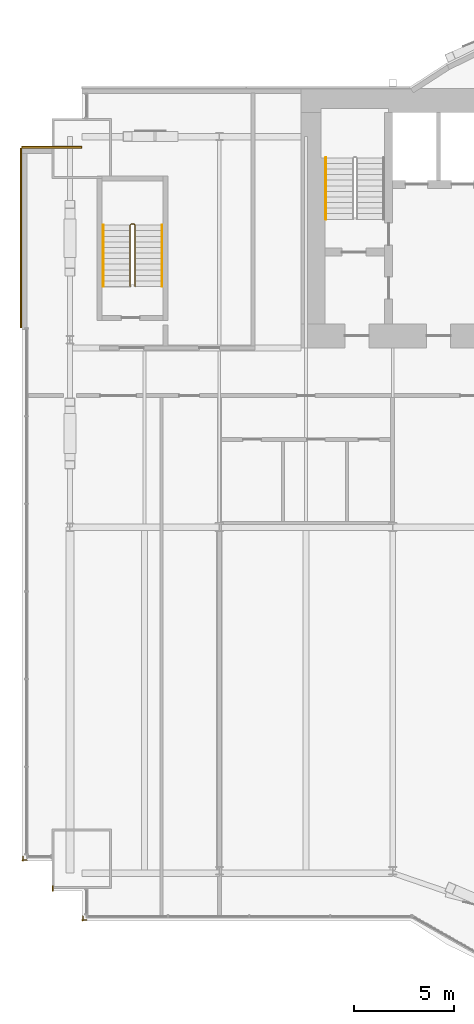
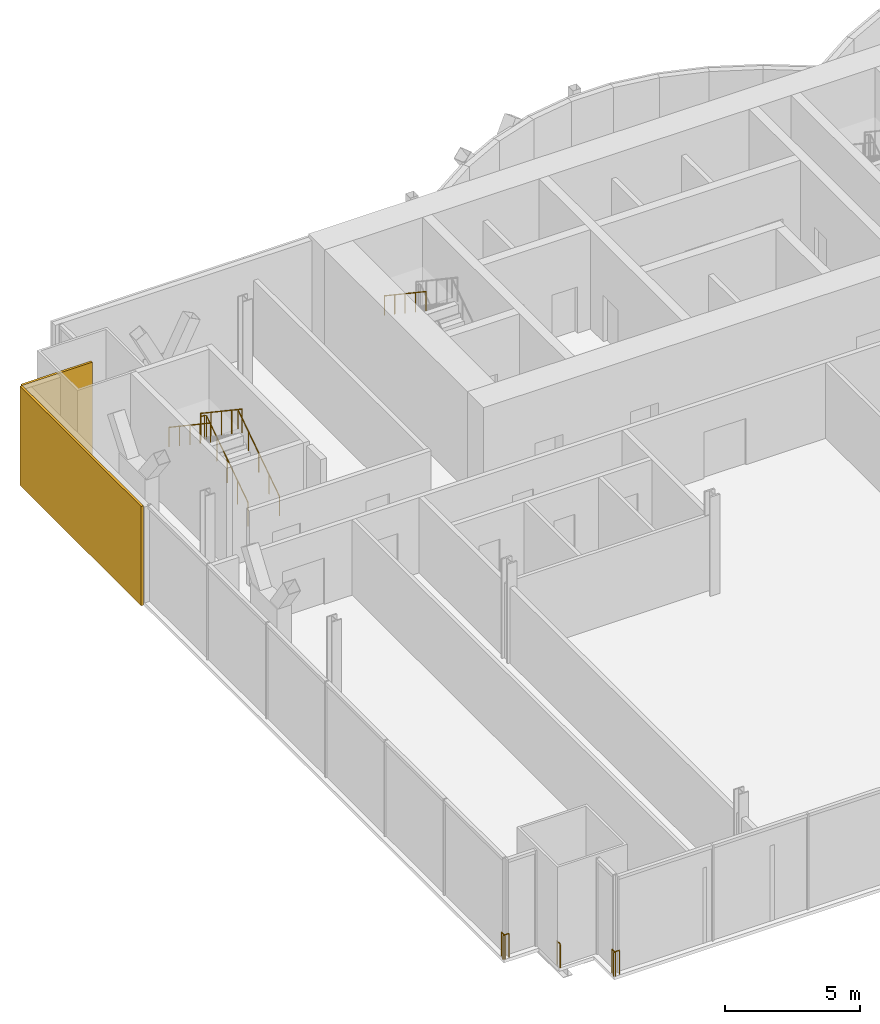
# One storey, part 19 of 22: 7 railings, 2 coverings.
"""IFC4 building model written with IfcOpenShell, lengths in metres."""

import ifcopenshell
import ifcopenshell.guid

model = None  # the IFC model being written
_history = None  # IfcOwnerHistory: only IFC2X3 demands one
_inside = {}  # id of a spatial element -> (the spatial element, [elements in it])
_under = {}  # id of a project, library or spatial element -> (it, [spatial elements below it])
_declared = {}  # id of a project -> (the project, [libraries it declares])
_typed = {}  # id of a type object -> (the type object, [elements of that type])
_made_of = {}  # id of a material, layer set ... -> (it, [elements and type objects made of it])


def new_model(schema):
    """Start an empty IFC model of exactly this schema.

    Asked for "IFC4X3", IfcOpenShell would pick the latest addendum, in which some entities
    have other attributes; the version numbers below select the first issue.
    IFC2X3 requires an IfcOwnerHistory on every rooted entity: one is made here for all.
    """
    global model, _history
    if schema == "IFC4X3":
        model = ifcopenshell.file(schema_version=(4, 3, 0, 0))
    else:
        model = ifcopenshell.file(schema=schema)
    _inside.clear()
    _under.clear()
    _declared.clear()
    _typed.clear()
    _made_of.clear()
    _history = None
    if model.schema == "IFC2X3":
        org = make("IfcOrganization", Name="unknown")
        user = make(
            "IfcPersonAndOrganization",
            ThePerson=make("IfcPerson", FamilyName="unknown"),
            TheOrganization=org,
        )
        app = make(
            "IfcApplication",
            ApplicationDeveloper=org,
            Version="unknown",
            ApplicationFullName="unknown",
            ApplicationIdentifier="unknown",
        )
        _history = make(
            "IfcOwnerHistory",
            OwningUser=user,
            OwningApplication=app,
            ChangeAction="ADDED",
            CreationDate=0,
        )
    return model


def make(cls, **values):
    """One entity of the class cls with the attributes given. An attribute that is None is left unset."""
    return model.create_entity(
        cls, **{name: value for name, value in values.items() if value is not None}
    )


def rooted(cls, **values):
    """An entity with a GlobalId (a new one), such as an element, a storey or a relation."""
    return make(cls, GlobalId=ifcopenshell.guid.new(), OwnerHistory=_history, **values)


def si_unit(unit_type, name, prefix=None):
    """IfcSIUnit, for example si_unit("LENGTHUNIT", "METRE", prefix="MILLI")."""
    return make("IfcSIUnit", UnitType=unit_type, Prefix=prefix, Name=name)


def assignment(units):
    """IfcUnitAssignment: the units of a project."""
    return None if units is None else make("IfcUnitAssignment", Units=units)


def point(xyz):
    """IfcCartesianPoint."""
    return None if xyz is None else make("IfcCartesianPoint", Coordinates=xyz)


def direction(xyz):
    """IfcDirection."""
    return None if xyz is None else make("IfcDirection", DirectionRatios=xyz)


def frame(location, z_axis=None, x_axis=None):
    """IfcAxis2Placement3D, a coordinate frame: its origin and axes. An axis left out is left unset."""
    return make(
        "IfcAxis2Placement3D",
        Location=point(location),
        Axis=direction(z_axis),
        RefDirection=direction(x_axis),
    )


def frame_2d(location, x_axis=None):
    """IfcAxis2Placement2D, a coordinate frame in the plane: its origin and x axis."""
    return make(
        "IfcAxis2Placement2D", Location=point(location), RefDirection=direction(x_axis)
    )


def origin():
    """The frame at (0, 0, 0) with its axes left unset."""
    return frame((0.0, 0.0, 0.0))


def origin_2d():
    """The frame at (0, 0) in the plane with its x axis left unset."""
    return frame_2d((0.0, 0.0))


def place(relative_to, where):
    """IfcLocalPlacement: puts the frame where relative to a parent placement (None: the world)."""
    return make(
        "IfcLocalPlacement", PlacementRelTo=relative_to, RelativePlacement=where
    )


def context(
    kind, dimensions, precision=None, world=None, true_north=None, identifier=None
):
    """IfcGeometricRepresentationContext, for example the 3D "Model" context."""
    return make(
        "IfcGeometricRepresentationContext",
        ContextIdentifier=identifier,
        ContextType=kind,
        CoordinateSpaceDimension=dimensions,
        Precision=precision,
        WorldCoordinateSystem=world,
        TrueNorth=true_north,
    )


def subcontext(parent, identifier, kind, view, scale=None):
    """IfcGeometricRepresentationSubContext, for example "Body" below "Model"."""
    return make(
        "IfcGeometricRepresentationSubContext",
        ContextIdentifier=identifier,
        ContextType=kind,
        ParentContext=parent,
        TargetScale=scale,
        TargetView=view,
    )


def project(units=None, contexts=None):
    """IfcProject with its units and contexts."""
    return rooted(
        "IfcProject",
        Name="project",
        RepresentationContexts=contexts,
        UnitsInContext=assignment(units),
    )


def spatial(cls, under=None, at=None, **own):
    """A site, building, storey or space (cls), placed at a placement, below another one or the project."""
    s = rooted(cls, ObjectPlacement=at, **own)
    if under is not None:
        _under.setdefault(under.id(), (under, []))[1].append(s)
    return s


def profile(cls, at=None, kind="AREA", **sizes):
    """A parametric profile (cls). Its sizes go by their IFC names, for example OverallWidth=200.0."""
    return make(cls, ProfileType=kind, Position=at, **sizes)


def rectangle(**sizes):
    """IfcRectangleProfileDef."""
    return profile("IfcRectangleProfileDef", **sizes)


def circle(**sizes):
    """IfcCircleProfileDef."""
    return profile("IfcCircleProfileDef", **sizes)


def extrude(swept, where, along, depth):
    """IfcExtrudedAreaSolid: the profile swept, set in the frame where, extruded along a direction by depth."""
    return make(
        "IfcExtrudedAreaSolid",
        SweptArea=swept,
        Position=where,
        ExtrudedDirection=direction(along),
        Depth=depth,
    )


def shape(context_of_items, identifier, shape_type, items):
    """IfcShapeRepresentation: the items that make up one representation, for example the "Body"."""
    return make(
        "IfcShapeRepresentation",
        ContextOfItems=context_of_items,
        RepresentationIdentifier=identifier,
        RepresentationType=shape_type,
        Items=items,
    )


def material(Name=None, Category=None):
    """IfcMaterial."""
    return make("IfcMaterial", Name=Name, Category=Category)


def layer(
    of_material, thickness, ventilated=None, Name=None, Category=None, Priority=None
):
    """IfcMaterialLayer: one layer of a wall or slab, of a material (None: an air gap)."""
    return make(
        "IfcMaterialLayer",
        Material=of_material,
        LayerThickness=thickness,
        IsVentilated=ventilated,
        Name=Name,
        Category=Category,
        Priority=Priority,
    )


def layer_set(layers, Name=None):
    """IfcMaterialLayerSet."""
    return make("IfcMaterialLayerSet", MaterialLayers=layers, LayerSetName=Name)


def made_of(thing, what):
    """Note that an element or type object is made of a material, layer set ...; save() writes the relation."""
    if what is not None:
        _made_of.setdefault(what.id(), (what, []))[1].append(thing)
    return thing


def type_object(cls, material=None, **own):
    """A type object (cls), such as IfcWallType, which elements share."""
    return made_of(rooted(cls, **own), material)


def element(
    cls,
    number,
    at=None,
    inside=None,
    cuts=None,
    type_object=None,
    material=None,
    context=None,
    identifier="Body",
    shape_type=None,
    held_by="IfcProductDefinitionShape",
    body=None,
    shapes=None,
    **own,
):
    """One element of the class cls, such as IfcWall. Its Tag is "e" and its number.

    at: its placement. inside: the storey or other place that contains it. cuts: it is an
    opening in that element (IfcRelVoidsElement). A single representation is given by context,
    identifier, shape_type and body (its items); several are given by shapes. held_by: the class
    of the entity that holds the representations. save() writes the other relations.
    """
    e = rooted(cls, Tag="e%d" % number, ObjectPlacement=at, **own)
    if body is not None:
        shapes = [shape(context, identifier, shape_type, body)]
    if shapes is not None:
        e.Representation = make(held_by, Representations=shapes)
    if inside is not None:
        _inside.setdefault(inside.id(), (inside, []))[1].append(e)
    if cuts is not None:
        rooted(
            "IfcRelVoidsElement", RelatingBuildingElement=cuts, RelatedOpeningElement=e
        )
    if type_object is not None:
        _typed.setdefault(type_object.id(), (type_object, []))[1].append(e)
    return made_of(e, material)


def aggregate(whole, parts):
    """IfcRelAggregates: a whole, such as a stair, and the parts it consists of."""
    return rooted("IfcRelAggregates", RelatingObject=whole, RelatedObjects=parts)


def save(model, path):
    """Write the relations noted so far, then the file.

    IfcRelAggregates (storeys below a building ...), IfcRelContainedInSpatialStructure (elements
    in a storey), IfcRelDefinesByType, IfcRelAssociatesMaterial and IfcRelDeclares: one each for
    every whole, place, type object, material and project.
    """
    for whole, parts in _under.values():
        aggregate(whole, parts)
    for where, things in _inside.values():
        rooted(
            "IfcRelContainedInSpatialStructure",
            RelatedElements=things,
            RelatingStructure=where,
        )
    for kind, things in _typed.values():
        rooted("IfcRelDefinesByType", RelatedObjects=things, RelatingType=kind)
    for what, things in _made_of.values():
        rooted("IfcRelAssociatesMaterial", RelatedObjects=things, RelatingMaterial=what)
    for by, libraries in _declared.values():
        rooted("IfcRelDeclares", RelatingContext=by, RelatedDefinitions=libraries)
    model.write(path)


model = new_model("IFC4")

# Units and contexts
model_context = context("Model", 3, precision=1e-05, world=origin(), true_north=direction((0.0, 1.0)))
body_context = subcontext(model_context, "Body", "Model", "MODEL_VIEW")
ifc_project = project(units=[si_unit("LENGTHUNIT", "METRE"), si_unit("AREAUNIT", "SQUARE_METRE"), si_unit("VOLUMEUNIT", "CUBIC_METRE"), si_unit("PLANEANGLEUNIT", "RADIAN"), si_unit("MASSUNIT", "GRAM", prefix="KILO")], contexts=[model_context])

# Site, building, storey
site_placement = place(None, origin())
site = spatial("IfcSite", under=ifc_project, at=site_placement, CompositionType="ELEMENT")
building_placement = place(site_placement, origin())
building = spatial("IfcBuilding", under=site, at=building_placement, Name="Bicima Exchange Tower", CompositionType="ELEMENT")
storey_placement = place(building_placement, frame((0.0, 0.0, 39.5)))
storey = spatial("IfcBuildingStorey", under=building, at=storey_placement, Name="L07", CompositionType="ELEMENT", Elevation=39.5)

# Coverings
ifc_material_1 = material(Name="Bronze metal cladding")
ifc_layer_1 = layer(ifc_material_1, 0.004)
ifc_material_2 = material(Name="Ventilated cavity")
ifc_layer_2 = layer(ifc_material_2, 0.06)
ifc_material_3 = material(Name="Galvanised steel rail and mineral wool", Category="steel")
ifc_layer_3 = layer(ifc_material_3, 0.036)
ifc_layer_set = layer_set([ifc_layer_1, ifc_layer_2, ifc_layer_3], Name="Ventilated cavity")
covering_type = type_object("IfcCoveringType", Name="Bronze metal cladding panel 100", PredefinedType="CLADDING", material=ifc_layer_set)
covering_1_placement = place(storey_placement, frame((-34.5, -2.949951171875, -0.14990234375), z_axis=(0.0, 0.0, 1.0), x_axis=(-1.0, 0.0, 0.0)))
element("IfcCovering", 1, at=covering_1_placement, inside=storey, type_object=covering_type, Name="Bronze cladding L07 22.1", PredefinedType="CLADDING", context=body_context, shape_type="SweptSolid", body=[
    extrude(rectangle(XDim=3.0, YDim=0.10009765625, at=origin_2d()), origin(), (0.0, 0.0, 1.0), 4.5),
])
covering_2_placement = place(storey_placement, frame((-36.050048828125, -7.5, -0.14990234375), z_axis=(0.0, 0.0, 1.0), x_axis=(0.0, -1.0, 0.0)))
element("IfcCovering", 2, at=covering_2_placement, inside=storey, type_object=covering_type, Name="Bronze cladding L07 23.1", PredefinedType="CLADDING", context=body_context, shape_type="SweptSolid", body=[
    extrude(rectangle(XDim=9.0, YDim=0.10009765625, at=origin_2d()), origin(), (0.0, 0.0, 1.0), 4.5),
])

# Railings
ifc_material_4 = material(Name="Stainless steel and bonded safety glass", Category="steel")
railing_type_1 = type_object("IfcRailingType", Name="Edge guard 1100", PredefinedType="GUARDRAIL", material=ifc_material_4)
railing_1_placement = place(storey_placement, frame((-35.75, -38.7060546875, 0.0)))
element("IfcRailing", 3, at=railing_1_placement, inside=storey, type_object=railing_type_1, Name="Edge guard L07 21", PredefinedType="GUARDRAIL", context=body_context, shape_type="SweptSolid", body=[
    extrude(circle(Radius=0.02392578125, at=origin_2d()), frame((0.0, 0.0, 1.076171875), z_axis=(-1.0, 0.0, 0.0), x_axis=(0.0, -1.0, 0.0)), (0.0, 0.0, 1.0), 0.25),
    extrude(circle(Radius=0.02392578125, at=origin_2d()), frame((-0.25, 0.0, 1.076171875), z_axis=(0.707106781187, -0.707106781187, 0.0), x_axis=(0.707106781187, 0.707106781187, 0.0)), (0.0, 0.0, 1.0), 0.07080078125),
    extrude(circle(Radius=0.02392578125, at=origin_2d()), frame((-0.199951171875, -0.050048828125, 1.076171875), z_axis=(0.0, 1.0, 0.0), x_axis=(-1.0, 0.0, 0.0)), (0.0, 0.0, 1.0), 0.248046875),
    extrude(circle(Radius=0.02099609375, at=origin_2d()), origin(), (0.0, 0.0, 1.0), 1.052001953125),
    extrude(circle(Radius=0.02099609375, at=origin_2d()), frame((-0.25, 0.0, 0.0)), (0.0, 0.0, 1.0), 1.052001953125),
    extrude(circle(Radius=0.02099609375, at=origin_2d()), frame((-0.199951171875, -0.050048828125, 0.0)), (0.0, 0.0, 1.0), 1.052001953125),
    extrude(circle(Radius=0.02099609375, at=origin_2d()), frame((-0.199951171875, 0.197998046875, 0.0)), (0.0, 0.0, 1.0), 1.052001953125),
])
railing_2_placement = place(storey_placement, frame((-32.75, -41.7060546875, 0.0)))
element("IfcRailing", 4, at=railing_2_placement, inside=storey, type_object=railing_type_1, Name="Edge guard L07 25", PredefinedType="GUARDRAIL", context=body_context, shape_type="SweptSolid", body=[
    extrude(circle(Radius=0.02392578125, at=origin_2d()), frame((0.0, 0.0, 1.076171875), z_axis=(-1.0, 0.0, 0.0), x_axis=(0.0, -1.0, 0.0)), (0.0, 0.0, 1.0), 0.25),
    extrude(circle(Radius=0.02392578125, at=origin_2d()), frame((-0.25, 0.0, 1.076171875), z_axis=(0.707106781187, -0.707106781187, 0.0), x_axis=(0.707106781187, 0.707106781187, 0.0)), (0.0, 0.0, 1.0), 0.07080078125),
    extrude(circle(Radius=0.02392578125, at=origin_2d()), frame((-0.199951171875, -0.050048828125, 1.076171875), z_axis=(0.0, 1.0, 0.0), x_axis=(-1.0, 0.0, 0.0)), (0.0, 0.0, 1.0), 0.25),
    extrude(circle(Radius=0.02099609375, at=origin_2d()), origin(), (0.0, 0.0, 1.0), 1.052001953125),
    extrude(circle(Radius=0.02099609375, at=origin_2d()), frame((-0.25, 0.0, 0.0)), (0.0, 0.0, 1.0), 1.052001953125),
    extrude(circle(Radius=0.02099609375, at=origin_2d()), frame((-0.199951171875, -0.050048828125, 0.0)), (0.0, 0.0, 1.0), 1.052001953125),
    extrude(circle(Radius=0.02099609375, at=origin_2d()), frame((-0.199951171875, 0.199951171875, 0.0)), (0.0, 0.0, 1.0), 1.052001953125),
])
railing_3_placement = place(storey_placement, frame((-34.449951171875, -40.256103515625, 0.0)))
element("IfcRailing", 5, at=railing_3_placement, inside=storey, type_object=railing_type_1, Name="Edge guard L07 26", PredefinedType="GUARDRAIL", context=body_context, shape_type="SweptSolid", body=[
    extrude(circle(Radius=0.02392578125, at=origin_2d()), frame((0.0, 0.0, 1.076171875), z_axis=(0.0, 1.0, 0.0), x_axis=(-1.0, 0.0, 0.0)), (0.0, 0.0, 1.0), 0.25),
    extrude(circle(Radius=0.02099609375, at=origin_2d()), origin(), (0.0, 0.0, 1.0), 1.052001953125),
    extrude(circle(Radius=0.02099609375, at=origin_2d()), frame((0.0, 0.25, 0.0)), (0.0, 0.0, 1.0), 1.052001953125),
])
ifc_material_5 = material(Name="Stainless steel", Category="steel")
railing_type_2 = type_object("IfcRailingType", Name="Stair guard 1100", PredefinedType="GUARDRAIL", material=ifc_material_5)
railing_4_placement = place(storey_placement, frame((-30.324951171875, -9.925048828125, 0.1875)))
element("IfcRailing", 6, at=railing_4_placement, inside=storey, type_object=railing_type_2, Name="L07 ST-WW stair guard 1", PredefinedType="GUARDRAIL", context=body_context, shape_type="SweptSolid", body=[
    extrude(circle(Radius=0.02392578125, at=origin_2d()), frame((0.0, 0.0, 1.076171875), z_axis=(0.0, 0.830913701846, 0.55640131208), x_axis=(-1.0, 0.0, 0.0)), (0.0, 0.0, 1.0), 3.706787109375),
    extrude(circle(Radius=0.02392578125, at=origin_2d()), frame((0.0, 3.080078125, 3.138671875), z_axis=(-0.707106781187, 0.707106781187, 0.0), x_axis=(-0.707106781187, -0.707106781187, 0.0)), (0.0, 0.0, 1.0), 0.07080078125),
    extrude(circle(Radius=0.02392578125, at=origin_2d()), frame((-0.050048828125, 3.130126953125, 3.138671875), z_axis=(-1.0, 0.0, 0.0), x_axis=(0.0, -1.0, 0.0)), (0.0, 0.0, 1.0), 0.14990234375),
    extrude(circle(Radius=0.02392578125, at=origin_2d()), frame((-0.199951171875, 3.130126953125, 3.138671875), z_axis=(-0.249726431254, -0.249726431254, 0.935560483917), x_axis=(0.707106781187, -0.707106781187, 0.0)), (0.0, 0.0, 1.0), 0.200439453125),
    extrude(circle(Radius=0.02392578125, at=origin_2d()), frame((-0.25, 3.080078125, 3.326171875), z_axis=(0.0, -0.830913701846, 0.55640131208), x_axis=(1.0, 0.0, 0.0)), (0.0, 0.0, 1.0), 3.706787109375),
    extrude(circle(Radius=0.02099609375, at=origin_2d()), origin(), (0.0, 0.0, 1.0), 1.052001953125),
    extrude(circle(Radius=0.02099609375, at=origin_2d()), frame((0.0, 0.77001953125, 0.515625)), (0.0, 0.0, 1.0), 1.052001953125),
    extrude(circle(Radius=0.02099609375, at=origin_2d()), frame((0.0, 1.5400390625, 1.03125)), (0.0, 0.0, 1.0), 1.052001953125),
    extrude(circle(Radius=0.02099609375, at=origin_2d()), frame((0.0, 2.31005859375, 1.546875)), (0.0, 0.0, 1.0), 1.052001953125),
    extrude(circle(Radius=0.02099609375, at=origin_2d()), frame((0.0, 3.080078125, 2.0625)), (0.0, 0.0, 1.0), 1.052001953125),
    extrude(circle(Radius=0.02099609375, at=origin_2d()), frame((-0.050048828125, 3.130126953125, 2.0625)), (0.0, 0.0, 1.0), 1.052001953125),
    extrude(circle(Radius=0.02099609375, at=origin_2d()), frame((-0.199951171875, 3.130126953125, 2.0625)), (0.0, 0.0, 1.0), 1.052001953125),
    extrude(circle(Radius=0.02099609375, at=origin_2d()), frame((-0.25, 3.080078125, 2.25)), (0.0, 0.0, 1.0), 1.052001953125),
    extrude(circle(Radius=0.02099609375, at=origin_2d()), frame((-0.25, 2.31005859375, 2.765625)), (0.0, 0.0, 1.0), 1.052001953125),
    extrude(circle(Radius=0.02099609375, at=origin_2d()), frame((-0.25, 1.5400390625, 3.28125)), (0.0, 0.0, 1.0), 1.052001953125),
    extrude(circle(Radius=0.02099609375, at=origin_2d()), frame((-0.25, 0.77001953125, 3.796875)), (0.0, 0.0, 1.0), 1.052001953125),
    extrude(circle(Radius=0.02099609375, at=origin_2d()), frame((-0.25, 0.0, 4.3125)), (0.0, 0.0, 1.0), 1.052001953125),
])
railing_type_3 = type_object("IfcRailingType", Name="Stair handrail 900", PredefinedType="HANDRAIL", material=ifc_material_5)
railing_5_placement = place(storey_placement, frame((-20.75, -3.469970703125, 2.47900390625)))
element("IfcRailing", 7, at=railing_5_placement, inside=storey, type_object=railing_type_3, Name="L07 ST-W stair handrail 2", PredefinedType="HANDRAIL", context=body_context, shape_type="SweptSolid", body=[
    extrude(circle(Radius=0.02392578125, at=origin_2d()), frame((0.0, 0.0, 0.8759765625), z_axis=(0.0, -0.830913701846, 0.55640131208), x_axis=(1.0, 0.0, 0.0)), (0.0, 0.0, 1.0), 3.706787109375),
    extrude(circle(Radius=0.02099609375, at=origin_2d()), origin(), (0.0, 0.0, 1.0), 0.851806640625),
    extrude(circle(Radius=0.02099609375, at=origin_2d()), frame((0.0, -0.77001953125, 0.515625)), (0.0, 0.0, 1.0), 0.851806640625),
    extrude(circle(Radius=0.02099609375, at=origin_2d()), frame((0.0, -1.5400390625, 1.03125)), (0.0, 0.0, 1.0), 0.851806640625),
    extrude(circle(Radius=0.02099609375, at=origin_2d()), frame((0.0, -2.31005859375, 1.546875)), (0.0, 0.0, 1.0), 0.851806640625),
    extrude(circle(Radius=0.02099609375, at=origin_2d()), frame((0.0, -3.080078125, 2.0625)), (0.0, 0.0, 1.0), 0.851806640625),
])
railing_6_placement = place(storey_placement, frame((-28.97509765625, -9.925048828125, 0.1875)))
element("IfcRailing", 8, at=railing_6_placement, inside=storey, type_object=railing_type_3, Name="L07 ST-WW stair handrail 1", PredefinedType="HANDRAIL", context=body_context, shape_type="SweptSolid", body=[
    extrude(circle(Radius=0.02392578125, at=origin_2d()), frame((0.0, 0.0, 0.8759765625), z_axis=(0.0, 0.830913701846, 0.55640131208), x_axis=(-1.0, 0.0, 0.0)), (0.0, 0.0, 1.0), 3.706787109375),
    extrude(circle(Radius=0.02099609375, at=origin_2d()), origin(), (0.0, 0.0, 1.0), 0.851806640625),
    extrude(circle(Radius=0.02099609375, at=origin_2d()), frame((0.0, 0.77001953125, 0.515625)), (0.0, 0.0, 1.0), 0.851806640625),
    extrude(circle(Radius=0.02099609375, at=origin_2d()), frame((0.0, 1.5400390625, 1.03125)), (0.0, 0.0, 1.0), 0.851806640625),
    extrude(circle(Radius=0.02099609375, at=origin_2d()), frame((0.0, 2.31005859375, 1.546875)), (0.0, 0.0, 1.0), 0.851806640625),
    extrude(circle(Radius=0.02099609375, at=origin_2d()), frame((0.0, 3.080078125, 2.0625)), (0.0, 0.0, 1.0), 0.851806640625),
])
railing_7_placement = place(storey_placement, frame((-31.925048828125, -6.844970703125, 2.47900390625)))
element("IfcRailing", 9, at=railing_7_placement, inside=storey, type_object=railing_type_3, Name="L07 ST-WW stair handrail 2", PredefinedType="HANDRAIL", context=body_context, shape_type="SweptSolid", body=[
    extrude(circle(Radius=0.02392578125, at=origin_2d()), frame((0.0, 0.0, 0.8759765625), z_axis=(0.0, -0.830913701846, 0.55640131208), x_axis=(1.0, 0.0, 0.0)), (0.0, 0.0, 1.0), 3.706787109375),
    extrude(circle(Radius=0.02099609375, at=origin_2d()), origin(), (0.0, 0.0, 1.0), 0.851806640625),
    extrude(circle(Radius=0.02099609375, at=origin_2d()), frame((0.0, -0.77001953125, 0.515625)), (0.0, 0.0, 1.0), 0.851806640625),
    extrude(circle(Radius=0.02099609375, at=origin_2d()), frame((0.0, -1.5400390625, 1.03125)), (0.0, 0.0, 1.0), 0.851806640625),
    extrude(circle(Radius=0.02099609375, at=origin_2d()), frame((0.0, -2.31005859375, 1.546875)), (0.0, 0.0, 1.0), 0.851806640625),
    extrude(circle(Radius=0.02099609375, at=origin_2d()), frame((0.0, -3.080078125, 2.0625)), (0.0, 0.0, 1.0), 0.851806640625),
])

save(model, "model.ifc")
